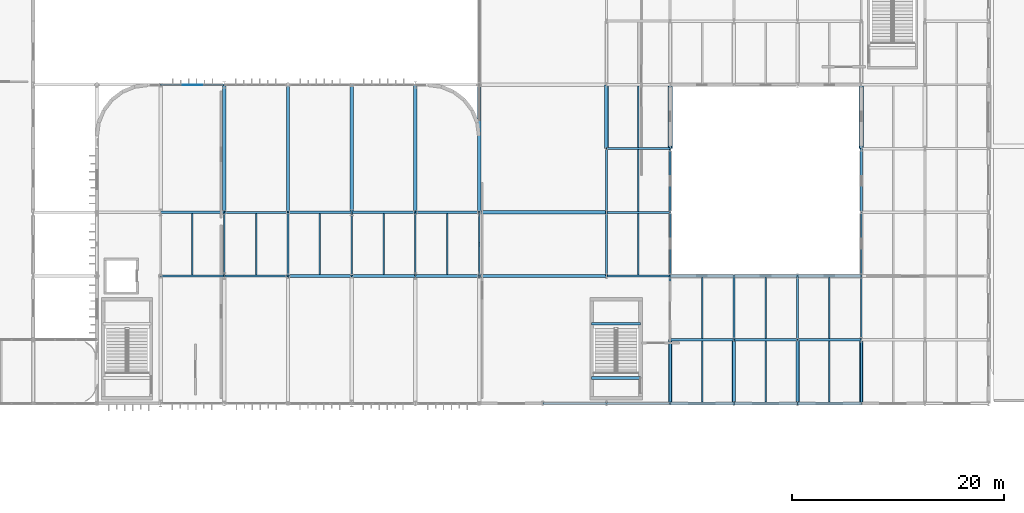
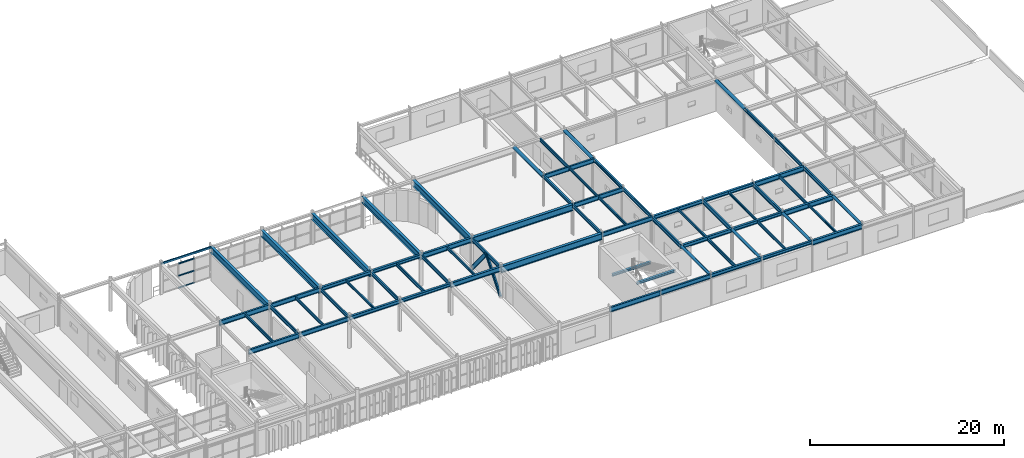
# One storey, part 69 of 116: 70 beams, 5 members, 1 element without a shape of its own.
"""IFC4 building model written with IfcOpenShell, lengths in metres."""

from ifc_helpers import new_model, si_unit, direction, frame, origin, origin_2d, place, context, subcontext, project, spatial, rectangle, hollow_rectangle, hollow_circle, i_section, extrude, material, material_profile, profile_set, type_object, element, aggregate, save


model = new_model("IFC4")

# Units and contexts
model_context = context("Model", 3, precision=1e-05, world=origin(), true_north=direction((0.0, 1.0)))
body_context = subcontext(model_context, "Body", "Model", "MODEL_VIEW")
ifc_project = project(units=[si_unit("LENGTHUNIT", "METRE"), si_unit("AREAUNIT", "SQUARE_METRE"), si_unit("VOLUMEUNIT", "CUBIC_METRE"), si_unit("PLANEANGLEUNIT", "RADIAN"), si_unit("MASSUNIT", "GRAM", prefix="KILO")], contexts=[model_context])

# Site, building, storey
site_placement = place(None, origin())
site = spatial("IfcSite", under=ifc_project, at=site_placement, CompositionType="ELEMENT")
building_placement = place(site_placement, origin())
building = spatial("IfcBuilding", under=site, at=building_placement, Name="Varnakota Square Police Headquarters", CompositionType="ELEMENT")
storey_placement = place(building_placement, frame((0.0, 0.0, 9.300048828125)))
storey = spatial("IfcBuildingStorey", under=building, at=storey_placement, Name="L02", CompositionType="ELEMENT", Elevation=9.300048828125)

# Beams
ifc_material_1 = material(Name="Steel IS 2062 Grade 350", Category="steel")
ifc_material_profile_1 = material_profile(ifc_material_1, hollow_circle(Radius=0.161865234375, WallThickness=0.0126953125, at=origin_2d()), Name="CHS 323.9x12.7")
ifc_profile_set_1 = profile_set([ifc_material_profile_1], Name="Steel IS 2062 Grade 350")
beam_type_1 = type_object("IfcBeamType", Name="BM-ARC-CHS324", PredefinedType="BEAM", material=ifc_profile_set_1)
for number, where, z_axis, x_axis, name in (
    (1, (114.0, 69.0, 3.738037109375), (0.0, 1.0, 0.0), (-1.0, 0.0, 0.0), "BMG-L02-2239"),
    (2, (120.0, 69.0, 3.738037109375), (0.0, 1.0, 0.0), (-1.0, 0.0, 0.0), "BMG-L02-2248"),
    (3, (126.0, 69.0, 3.738037109375), (0.0, 1.0, 0.0), (-1.0, 0.0, 0.0), "BMG-L02-2254"),
    (4, (132.0, 69.0, 3.738037109375), (0.0, 1.0, 0.0), (-1.0, 0.0, 0.0), "BMG-L02-2260"),
):
    element("IfcBeam", number, at=place(storey_placement, frame(where, z_axis=z_axis, x_axis=x_axis)), inside=storey, type_object=beam_type_1, Name=name, PredefinedType="BEAM", context=body_context, shape_type="SweptSolid", body=[
        extrude(hollow_circle(Radius=0.161865234375, WallThickness=0.0126953125, at=origin_2d()), origin(), (0.0, 0.0, 1.0), 6.0),
    ])
ifc_material_profile_2 = material_profile(ifc_material_1, hollow_circle(Radius=0.203125, WallThickness=0.01611328125, at=origin_2d()), Name="CHS 406.4x16.0")
ifc_profile_set_2 = profile_set([ifc_material_profile_2], Name="Steel IS 2062 Grade 350")
beam_type_2 = type_object("IfcBeamType", Name="BM-ARC-CHS406", PredefinedType="BEAM", material=ifc_profile_set_2)
for number, where, z_axis, x_axis, name in (
    (5, (108.0, 93.0, 3.69677734375), (0.0, 1.0, 0.0), (-1.0, 0.0, 0.0), "BMG-L02-2234"),
    (6, (114.0, 93.0, 3.69677734375), (0.0, 1.0, 0.0), (-1.0, 0.0, 0.0), "BMG-L02-2243"),
    (7, (132.0, 93.0, 3.69677734375), (0.0, 1.0, 0.0), (-1.0, 0.0, 0.0), "BMG-L02-2264"),
):
    element("IfcBeam", number, at=place(storey_placement, frame(where, z_axis=z_axis, x_axis=x_axis)), inside=storey, type_object=beam_type_2, Name=name, PredefinedType="BEAM", context=body_context, shape_type="SweptSolid", body=[
        extrude(hollow_circle(Radius=0.203125, WallThickness=0.01611328125, at=origin_2d()), origin(), (0.0, 0.0, 1.0), 6.0),
    ])
ifc_material_profile_3 = material_profile(ifc_material_1, i_section(OverallWidth=0.320068359375, OverallDepth=0.800048828125, WebThickness=0.01611328125, FlangeThickness=0.028076171875, at=origin_2d()), Name="BPG 800x320")
ifc_profile_set_3 = profile_set([ifc_material_profile_3], Name="Steel IS 2062 Grade 350")
beam_type_3 = type_object("IfcBeamType", Name="BM-BPG800", PredefinedType="BEAM", material=ifc_profile_set_3)
for number, where, z_axis, x_axis, name in (
    (8, (96.0, 81.0, 3.5), (1.0, 0.0, 0.0), (0.0, 1.0, 0.0), "BMG-L02-2046"),
    (9, (96.0, 87.0, 3.5), (1.0, 0.0, 0.0), (0.0, 1.0, 0.0), "BMG-L02-2060"),
    (10, (72.0, 87.0, 3.5), (0.0, 1.0, 0.0), (-1.0, 0.0, 0.0), "BMG-L02-2216"),
    (11, (78.0, 87.0, 3.5), (0.0, 1.0, 0.0), (-1.0, 0.0, 0.0), "BMG-L02-2219"),
    (12, (84.0, 87.0, 3.5), (0.0, 1.0, 0.0), (-1.0, 0.0, 0.0), "BMG-L02-2222"),
    (13, (90.0, 87.0, 3.5), (0.0, 1.0, 0.0), (-1.0, 0.0, 0.0), "BMG-L02-2225"),
    (14, (96.0, 87.0, 3.5), (0.0, 1.0, 0.0), (-1.0, 0.0, 0.0), "BMG-L02-2228"),
):
    element("IfcBeam", number, at=place(storey_placement, frame(where, z_axis=z_axis, x_axis=x_axis)), inside=storey, type_object=beam_type_3, Name=name, PredefinedType="BEAM", context=body_context, shape_type="SweptSolid", body=[
        extrude(i_section(OverallWidth=0.320068359375, OverallDepth=0.800048828125, WebThickness=0.01611328125, FlangeThickness=0.028076171875, at=origin_2d()), origin(), (0.0, 0.0, 1.0), 12.0),
    ])
ifc_material_profile_4 = material_profile(ifc_material_1, hollow_rectangle(XDim=0.14990234375, YDim=0.25, WallThickness=0.010009765625, InnerFilletRadius=0.010009765625, OuterFilletRadius=0.02001953125, at=origin_2d()), Name="RHS 250x150x10")
ifc_profile_set_4 = profile_set([ifc_material_profile_4], Name="Steel IS 2062 Grade 350")
beam_type_4 = type_object("IfcBeamType", Name="BM-CBEAM-RHS250", PredefinedType="BEAM", material=ifc_profile_set_4)
beam_1_placement = place(storey_placement, frame((66.0, 99.0, 3.77490234375), z_axis=(1.0, 0.0, 0.0), x_axis=(0.0, 1.0, 0.0)))
element("IfcBeam", 15, at=beam_1_placement, inside=storey, type_object=beam_type_4, Name="BMG-L02-2069", PredefinedType="BEAM", context=body_context, shape_type="SweptSolid", body=[
    extrude(hollow_rectangle(XDim=0.14990234375, YDim=0.25, WallThickness=0.010009765625, InnerFilletRadius=0.010009765625, OuterFilletRadius=0.02001953125, at=origin_2d()), origin(), (0.0, 0.0, 1.0), 6.0),
])
ifc_material_profile_5 = material_profile(ifc_material_1, i_section(OverallWidth=0.25, OverallDepth=0.300048828125, WebThickness=0.009521484375, FlangeThickness=0.010498046875, FilletRadius=0.011962890625, at=origin_2d()), Name="ISHB 300")
ifc_profile_set_5 = profile_set([ifc_material_profile_5], Name="Steel IS 2062 Grade 350")
beam_type_5 = type_object("IfcBeamType", Name="BM-ISHB300", PredefinedType="BEAM", material=ifc_profile_set_5)
for number, where, z_axis, x_axis, name in (
    (16, (106.60009765625, 76.500732421875, 1.787841796875), (1.0, 0.0, 0.0), (0.0, 1.0, 0.0), "Stair landing support beam BM-LND-0100"),
    (17, (106.60009765625, 71.400146484375, 3.849853515625), (1.0, 0.0, 0.0), (0.0, 1.0, 0.0), "Stair landing support beam BM-LND-0101"),
):
    element("IfcBeam", number, at=place(storey_placement, frame(where, z_axis=z_axis, x_axis=x_axis)), inside=storey, type_object=beam_type_5, Name=name, PredefinedType="BEAM", context=body_context, shape_type="SweptSolid", body=[
        extrude(i_section(OverallWidth=0.25, OverallDepth=0.300048828125, WebThickness=0.009521484375, FlangeThickness=0.010498046875, FilletRadius=0.011962890625, at=origin_2d()), origin(), (0.0, 0.0, 1.0), 4.599853515625),
    ])
ifc_material_profile_6 = material_profile(ifc_material_1, i_section(OverallWidth=0.25, OverallDepth=0.39990234375, WebThickness=0.010498046875, FlangeThickness=0.0126953125, FilletRadius=0.013916015625, at=origin_2d()), Name="ISHB 400")
ifc_profile_set_6 = profile_set([ifc_material_profile_6], Name="Steel IS 2062 Grade 350")
beam_type_6 = type_object("IfcBeamType", Name="BM-ISHB400", PredefinedType="BEAM", material=ifc_profile_set_6)
for number, where, z_axis, x_axis, name in (
    (18, (120.0, 69.0, 3.699951171875), (1.0, 0.0, 0.0), (0.0, 1.0, 0.0), "BMG-L02-2024"),
    (19, (120.0, 75.0, 3.699951171875), (1.0, 0.0, 0.0), (0.0, 1.0, 0.0), "BMG-L02-2036"),
    (20, (84.0, 81.0, 3.699951171875), (1.0, 0.0, 0.0), (0.0, 1.0, 0.0), "BMG-L02-2044"),
    (21, (120.0, 81.0, 3.699951171875), (1.0, 0.0, 0.0), (0.0, 1.0, 0.0), "BMG-L02-2049"),
    (22, (84.0, 87.0, 3.699951171875), (1.0, 0.0, 0.0), (0.0, 1.0, 0.0), "BMG-L02-2058"),
):
    element("IfcBeam", number, at=place(storey_placement, frame(where, z_axis=z_axis, x_axis=x_axis)), inside=storey, type_object=beam_type_6, Name=name, PredefinedType="BEAM", context=body_context, shape_type="SweptSolid", body=[
        extrude(i_section(OverallWidth=0.25, OverallDepth=0.39990234375, WebThickness=0.010498046875, FlangeThickness=0.0126953125, FilletRadius=0.013916015625, at=origin_2d()), origin(), (0.0, 0.0, 1.0), 6.0),
    ])
ifc_material_profile_7 = material_profile(ifc_material_1, i_section(OverallWidth=0.25, OverallDepth=0.449951171875, WebThickness=0.01123046875, FlangeThickness=0.013671875, FilletRadius=0.014892578125, at=origin_2d()), Name="ISHB 450")
ifc_profile_set_7 = profile_set([ifc_material_profile_7], Name="Steel IS 2062 Grade 350")
beam_type_7 = type_object("IfcBeamType", Name="BM-ISHB450", PredefinedType="BEAM", material=ifc_profile_set_7)
for number, where, z_axis, x_axis, name in (
    (23, (114.0, 69.0, 3.675048828125), (1.0, 0.0, 0.0), (0.0, 1.0, 0.0), "BMG-L02-2023"),
    (24, (114.0, 75.0, 3.675048828125), (1.0, 0.0, 0.0), (0.0, 1.0, 0.0), "BMG-L02-2035"),
    (25, (78.0, 81.0, 3.675048828125), (1.0, 0.0, 0.0), (0.0, 1.0, 0.0), "BMG-L02-2043"),
    (26, (114.0, 81.0, 3.675048828125), (1.0, 0.0, 0.0), (0.0, 1.0, 0.0), "BMG-L02-2048"),
    (27, (78.0, 87.0, 3.675048828125), (1.0, 0.0, 0.0), (0.0, 1.0, 0.0), "BMG-L02-2057"),
):
    element("IfcBeam", number, at=place(storey_placement, frame(where, z_axis=z_axis, x_axis=x_axis)), inside=storey, type_object=beam_type_7, Name=name, PredefinedType="BEAM", context=body_context, shape_type="SweptSolid", body=[
        extrude(i_section(OverallWidth=0.25, OverallDepth=0.449951171875, WebThickness=0.01123046875, FlangeThickness=0.013671875, FilletRadius=0.014892578125, at=origin_2d()), origin(), (0.0, 0.0, 1.0), 6.0),
    ])
ifc_material_profile_8 = material_profile(ifc_material_1, i_section(OverallWidth=0.139892578125, OverallDepth=0.300048828125, WebThickness=0.0078125, FlangeThickness=0.01318359375, FilletRadius=0.013916015625, at=origin_2d()), Name="ISMB 300")
ifc_profile_set_8 = profile_set([ifc_material_profile_8], Name="Steel IS 2062 Grade 350")
beam_type_8 = type_object("IfcBeamType", Name="BM-ISMB300", PredefinedType="JOIST", material=ifc_profile_set_8)
beam_2_placement = place(storey_placement, frame((81.0, 81.123046875, 3.75), z_axis=(0.0, 1.0, 0.0), x_axis=(-1.0, 0.0, 0.0)))
element("IfcBeam", 28, at=beam_2_placement, inside=storey, type_object=beam_type_8, Name="BMG-L02-2376", PredefinedType="JOIST", context=body_context, shape_type="SweptSolid", body=[
    extrude(i_section(OverallWidth=0.139892578125, OverallDepth=0.300048828125, WebThickness=0.0078125, FlangeThickness=0.01318359375, FilletRadius=0.013916015625, at=origin_2d()), origin(), (0.0, 0.0, 1.0), 5.75390625),
])
beam_3_placement = place(storey_placement, frame((111.0, 87.093017578125, 3.75), z_axis=(0.0, 1.0, 0.0), x_axis=(-1.0, 0.0, 0.0)))
element("IfcBeam", 29, at=beam_3_placement, inside=storey, type_object=beam_type_8, Name="BMG-L02-2381", PredefinedType="JOIST", context=body_context, shape_type="SweptSolid", body=[
    extrude(i_section(OverallWidth=0.139892578125, OverallDepth=0.300048828125, WebThickness=0.0078125, FlangeThickness=0.01318359375, FilletRadius=0.013916015625, at=origin_2d()), origin(), (0.0, 0.0, 1.0), 5.81396484375),
])
for number, where, z_axis, x_axis, name in (
    (30, (123.0, 75.123046875, 3.75), (0.0, 1.0, 0.0), (-1.0, 0.0, 0.0), "BMG-L02-2390"),
    (31, (129.0, 69.123046875, 3.75), (0.0, 1.0, 0.0), (-1.0, 0.0, 0.0), "BMG-L02-2392"),
):
    element("IfcBeam", number, at=place(storey_placement, frame(where, z_axis=z_axis, x_axis=x_axis)), inside=storey, type_object=beam_type_8, Name=name, PredefinedType="JOIST", context=body_context, shape_type="SweptSolid", body=[
        extrude(i_section(OverallWidth=0.139892578125, OverallDepth=0.300048828125, WebThickness=0.0078125, FlangeThickness=0.01318359375, FilletRadius=0.013916015625, at=origin_2d()), origin(), (0.0, 0.0, 1.0), 5.75390625),
    ])
ifc_material_profile_9 = material_profile(ifc_material_1, i_section(OverallWidth=0.139892578125, OverallDepth=0.35009765625, WebThickness=0.008056640625, FlangeThickness=0.01416015625, FilletRadius=0.013916015625, at=origin_2d()), Name="ISMB 350")
ifc_profile_set_9 = profile_set([ifc_material_profile_9], Name="Steel IS 2062 Grade 350")
beam_type_9 = type_object("IfcBeamType", Name="BM-ISMB350", PredefinedType="JOIST", material=ifc_profile_set_9)
beam_4_placement = place(storey_placement, frame((75.0, 81.093017578125, 3.724853515625), z_axis=(0.0, 1.0, 0.0), x_axis=(-1.0, 0.0, 0.0)))
element("IfcBeam", 32, at=beam_4_placement, inside=storey, type_object=beam_type_9, Name="BMG-L02-2375", PredefinedType="JOIST", context=body_context, shape_type="SweptSolid", body=[
    extrude(i_section(OverallWidth=0.139892578125, OverallDepth=0.35009765625, WebThickness=0.008056640625, FlangeThickness=0.01416015625, FilletRadius=0.013916015625, at=origin_2d()), origin(), (0.0, 0.0, 1.0), 5.81396484375),
])
beam_5_placement = place(storey_placement, frame((93.0, 81.123046875, 3.724853515625), z_axis=(0.0, 1.0, 0.0), x_axis=(-1.0, 0.0, 0.0)))
element("IfcBeam", 33, at=beam_5_placement, inside=storey, type_object=beam_type_9, Name="BMG-L02-2378", PredefinedType="JOIST", context=body_context, shape_type="SweptSolid", body=[
    extrude(i_section(OverallWidth=0.139892578125, OverallDepth=0.35009765625, WebThickness=0.008056640625, FlangeThickness=0.01416015625, FilletRadius=0.013916015625, at=origin_2d()), origin(), (0.0, 0.0, 1.0), 5.75390625),
])
beam_6_placement = place(storey_placement, frame((111.0, 81.093017578125, 3.724853515625), z_axis=(0.0, 1.0, 0.0), x_axis=(-1.0, 0.0, 0.0)))
element("IfcBeam", 34, at=beam_6_placement, inside=storey, type_object=beam_type_9, Name="BMG-L02-2380", PredefinedType="JOIST", context=body_context, shape_type="SweptSolid", body=[
    extrude(i_section(OverallWidth=0.139892578125, OverallDepth=0.35009765625, WebThickness=0.008056640625, FlangeThickness=0.01416015625, FilletRadius=0.013916015625, at=origin_2d()), origin(), (0.0, 0.0, 1.0), 5.81396484375),
])
for number, where, z_axis, x_axis, name in (
    (35, (117.0, 75.123046875, 3.724853515625), (0.0, 1.0, 0.0), (-1.0, 0.0, 0.0), "BMG-L02-2386"),
    (36, (123.0, 69.123046875, 3.724853515625), (0.0, 1.0, 0.0), (-1.0, 0.0, 0.0), "BMG-L02-2389"),
):
    element("IfcBeam", number, at=place(storey_placement, frame(where, z_axis=z_axis, x_axis=x_axis)), inside=storey, type_object=beam_type_9, Name=name, PredefinedType="JOIST", context=body_context, shape_type="SweptSolid", body=[
        extrude(i_section(OverallWidth=0.139892578125, OverallDepth=0.35009765625, WebThickness=0.008056640625, FlangeThickness=0.01416015625, FilletRadius=0.013916015625, at=origin_2d()), origin(), (0.0, 0.0, 1.0), 5.75390625),
    ])
ifc_material_profile_10 = material_profile(ifc_material_1, i_section(OverallWidth=0.139892578125, OverallDepth=0.39990234375, WebThickness=0.0087890625, FlangeThickness=0.01611328125, FilletRadius=0.013916015625, at=origin_2d()), Name="ISMB 400")
ifc_profile_set_10 = profile_set([ifc_material_profile_10], Name="Steel IS 2062 Grade 350")
beam_type_10 = type_object("IfcBeamType", Name="BM-ISMB400", PredefinedType="JOIST", material=ifc_profile_set_10)
beam_7_placement = place(storey_placement, frame((69.0, 81.10302734375, 3.699951171875), z_axis=(0.0, 1.0, 0.0), x_axis=(-1.0, 0.0, 0.0)))
element("IfcBeam", 37, at=beam_7_placement, inside=storey, type_object=beam_type_10, Name="BMG-L02-2374", PredefinedType="JOIST", context=body_context, shape_type="SweptSolid", body=[
    extrude(i_section(OverallWidth=0.139892578125, OverallDepth=0.39990234375, WebThickness=0.0087890625, FlangeThickness=0.01611328125, FilletRadius=0.013916015625, at=origin_2d()), origin(), (0.0, 0.0, 1.0), 5.7939453125),
])
beam_8_placement = place(storey_placement, frame((87.0, 81.123046875, 3.699951171875), z_axis=(0.0, 1.0, 0.0), x_axis=(-1.0, 0.0, 0.0)))
element("IfcBeam", 38, at=beam_8_placement, inside=storey, type_object=beam_type_10, Name="BMG-L02-2377", PredefinedType="JOIST", context=body_context, shape_type="SweptSolid", body=[
    extrude(i_section(OverallWidth=0.139892578125, OverallDepth=0.39990234375, WebThickness=0.0087890625, FlangeThickness=0.01611328125, FilletRadius=0.013916015625, at=origin_2d()), origin(), (0.0, 0.0, 1.0), 5.75390625),
])
beam_9_placement = place(storey_placement, frame((111.0, 93.093017578125, 3.699951171875), z_axis=(0.0, 1.0, 0.0), x_axis=(-1.0, 0.0, 0.0)))
element("IfcBeam", 39, at=beam_9_placement, inside=storey, type_object=beam_type_10, Name="BMG-L02-2382", PredefinedType="JOIST", context=body_context, shape_type="SweptSolid", body=[
    extrude(i_section(OverallWidth=0.139892578125, OverallDepth=0.39990234375, WebThickness=0.0087890625, FlangeThickness=0.01611328125, FilletRadius=0.013916015625, at=origin_2d()), origin(), (0.0, 0.0, 1.0), 5.783935546875),
])
for number, where, z_axis, x_axis, name in (
    (40, (117.0, 69.123046875, 3.699951171875), (0.0, 1.0, 0.0), (-1.0, 0.0, 0.0), "BMG-L02-2385"),
    (41, (129.0, 75.123046875, 3.699951171875), (0.0, 1.0, 0.0), (-1.0, 0.0, 0.0), "BMG-L02-2393"),
):
    element("IfcBeam", number, at=place(storey_placement, frame(where, z_axis=z_axis, x_axis=x_axis)), inside=storey, type_object=beam_type_10, Name=name, PredefinedType="JOIST", context=body_context, shape_type="SweptSolid", body=[
        extrude(i_section(OverallWidth=0.139892578125, OverallDepth=0.39990234375, WebThickness=0.0087890625, FlangeThickness=0.01611328125, FilletRadius=0.013916015625, at=origin_2d()), origin(), (0.0, 0.0, 1.0), 5.75390625),
    ])
ifc_material_profile_11 = material_profile(ifc_material_1, i_section(OverallWidth=0.14990234375, OverallDepth=0.449951171875, WebThickness=0.009521484375, FlangeThickness=0.017333984375, FilletRadius=0.014892578125, at=origin_2d()), Name="ISMB 450")
ifc_profile_set_11 = profile_set([ifc_material_profile_11], Name="Steel IS 2062 Grade 350")
beam_type_11 = type_object("IfcBeamType", Name="BM-ISMB450", PredefinedType="BEAM", material=ifc_profile_set_11)
for number, where, z_axis, x_axis, name in (
    (42, (72.0, 81.0, 3.675048828125), (0.0, 1.0, 0.0), (-1.0, 0.0, 0.0), "BMG-L02-2215"),
    (43, (78.0, 81.0, 3.675048828125), (0.0, 1.0, 0.0), (-1.0, 0.0, 0.0), "BMG-L02-2218"),
    (44, (84.0, 81.0, 3.675048828125), (0.0, 1.0, 0.0), (-1.0, 0.0, 0.0), "BMG-L02-2221"),
    (45, (90.0, 81.0, 3.675048828125), (0.0, 1.0, 0.0), (-1.0, 0.0, 0.0), "BMG-L02-2224"),
    (46, (96.0, 81.0, 3.675048828125), (0.0, 1.0, 0.0), (-1.0, 0.0, 0.0), "BMG-L02-2227"),
    (47, (108.0, 81.0, 3.675048828125), (0.0, 1.0, 0.0), (-1.0, 0.0, 0.0), "BMG-L02-2232"),
    (48, (114.0, 81.0, 3.675048828125), (0.0, 1.0, 0.0), (-1.0, 0.0, 0.0), "BMG-L02-2241"),
    (49, (132.0, 81.0, 3.675048828125), (0.0, 1.0, 0.0), (-1.0, 0.0, 0.0), "BMG-L02-2262"),
):
    element("IfcBeam", number, at=place(storey_placement, frame(where, z_axis=z_axis, x_axis=x_axis)), inside=storey, type_object=beam_type_11, Name=name, PredefinedType="BEAM", context=body_context, shape_type="SweptSolid", body=[
        extrude(i_section(OverallWidth=0.14990234375, OverallDepth=0.449951171875, WebThickness=0.009521484375, FlangeThickness=0.017333984375, FilletRadius=0.014892578125, at=origin_2d()), origin(), (0.0, 0.0, 1.0), 6.0),
    ])
ifc_material_profile_12 = material_profile(ifc_material_1, i_section(OverallWidth=0.179931640625, OverallDepth=0.5, WebThickness=0.01025390625, FlangeThickness=0.01708984375, FilletRadius=0.01708984375, at=origin_2d()), Name="ISMB 500")
ifc_profile_set_12 = profile_set([ifc_material_profile_12], Name="Steel IS 2062 Grade 350")
beam_type_12 = type_object("IfcBeamType", Name="BM-ISMB500", PredefinedType="BEAM", material=ifc_profile_set_12)
for number, where, z_axis, x_axis, name in (
    (50, (114.0, 75.0, 3.64990234375), (0.0, 1.0, 0.0), (-1.0, 0.0, 0.0), "BMG-L02-2240"),
    (51, (120.0, 75.0, 3.64990234375), (0.0, 1.0, 0.0), (-1.0, 0.0, 0.0), "BMG-L02-2249"),
    (52, (126.0, 75.0, 3.64990234375), (0.0, 1.0, 0.0), (-1.0, 0.0, 0.0), "BMG-L02-2255"),
    (53, (132.0, 75.0, 3.64990234375), (0.0, 1.0, 0.0), (-1.0, 0.0, 0.0), "BMG-L02-2261"),
):
    element("IfcBeam", number, at=place(storey_placement, frame(where, z_axis=z_axis, x_axis=x_axis)), inside=storey, type_object=beam_type_12, Name=name, PredefinedType="BEAM", context=body_context, shape_type="SweptSolid", body=[
        extrude(i_section(OverallWidth=0.179931640625, OverallDepth=0.5, WebThickness=0.01025390625, FlangeThickness=0.01708984375, FilletRadius=0.01708984375, at=origin_2d()), origin(), (0.0, 0.0, 1.0), 6.0),
    ])
ifc_material_profile_13 = material_profile(ifc_material_1, i_section(OverallWidth=0.18994140625, OverallDepth=0.550048828125, WebThickness=0.01123046875, FlangeThickness=0.019287109375, FilletRadius=0.01806640625, at=origin_2d()), Name="ISMB 550")
ifc_profile_set_13 = profile_set([ifc_material_profile_13], Name="Steel IS 2062 Grade 350")
beam_type_13 = type_object("IfcBeamType", Name="BM-ISMB550", PredefinedType="BEAM", material=ifc_profile_set_13)
for number, where, z_axis, x_axis, name in (
    (54, (108.0, 69.0, 3.625), (1.0, 0.0, 0.0), (0.0, 1.0, 0.0), "BMG-L02-2022"),
    (55, (72.0, 81.0, 3.625), (1.0, 0.0, 0.0), (0.0, 1.0, 0.0), "BMG-L02-2042"),
    (56, (108.0, 81.0, 3.625), (1.0, 0.0, 0.0), (0.0, 1.0, 0.0), "BMG-L02-2047"),
    (57, (72.0, 87.0, 3.625), (1.0, 0.0, 0.0), (0.0, 1.0, 0.0), "BMG-L02-2056"),
    (58, (108.0, 87.0, 3.625), (1.0, 0.0, 0.0), (0.0, 1.0, 0.0), "BMG-L02-2061"),
    (59, (108.0, 93.0, 3.625), (1.0, 0.0, 0.0), (0.0, 1.0, 0.0), "BMG-L02-2064"),
):
    element("IfcBeam", number, at=place(storey_placement, frame(where, z_axis=z_axis, x_axis=x_axis)), inside=storey, type_object=beam_type_13, Name=name, PredefinedType="BEAM", context=body_context, shape_type="SweptSolid", body=[
        extrude(i_section(OverallWidth=0.18994140625, OverallDepth=0.550048828125, WebThickness=0.01123046875, FlangeThickness=0.019287109375, FilletRadius=0.01806640625, at=origin_2d()), origin(), (0.0, 0.0, 1.0), 6.0),
    ])
ifc_material_profile_14 = material_profile(ifc_material_1, i_section(OverallWidth=0.2099609375, OverallDepth=0.60009765625, WebThickness=0.011962890625, FlangeThickness=0.020751953125, FilletRadius=0.02001953125, at=origin_2d()), Name="ISMB 600")
ifc_profile_set_14 = profile_set([ifc_material_profile_14], Name="Steel IS 2062 Grade 350")
beam_type_14 = type_object("IfcBeamType", Name="BM-ISMB600", PredefinedType="BEAM", material=ifc_profile_set_14)
for number, where, z_axis, x_axis, name in (
    (60, (102.0, 69.0, 3.599853515625), (1.0, 0.0, 0.0), (0.0, 1.0, 0.0), "BMG-L02-2021"),
    (61, (66.0, 81.0, 3.599853515625), (1.0, 0.0, 0.0), (0.0, 1.0, 0.0), "BMG-L02-2041"),
    (62, (66.0, 87.0, 3.599853515625), (1.0, 0.0, 0.0), (0.0, 1.0, 0.0), "BMG-L02-2055"),
):
    element("IfcBeam", number, at=place(storey_placement, frame(where, z_axis=z_axis, x_axis=x_axis)), inside=storey, type_object=beam_type_14, Name=name, PredefinedType="BEAM", context=body_context, shape_type="SweptSolid", body=[
        extrude(i_section(OverallWidth=0.2099609375, OverallDepth=0.60009765625, WebThickness=0.011962890625, FlangeThickness=0.020751953125, FilletRadius=0.02001953125, at=origin_2d()), origin(), (0.0, 0.0, 1.0), 6.0),
    ])
ifc_material_profile_15 = material_profile(ifc_material_1, i_section(OverallWidth=0.199951171875, OverallDepth=0.39990234375, WebThickness=0.008544921875, FlangeThickness=0.012939453125, FilletRadius=0.012939453125, at=origin_2d()), Name="ISWB 400")
ifc_profile_set_15 = profile_set([ifc_material_profile_15], Name="Steel IS 2062 Grade 350")
beam_type_15 = type_object("IfcBeamType", Name="BM-ISWB400", PredefinedType="BEAM", material=ifc_profile_set_15)
for number, where, z_axis, x_axis, name in (
    (63, (108.0, 87.0, 3.699951171875), (0.0, 1.0, 0.0), (-1.0, 0.0, 0.0), "BMG-L02-2233"),
    (64, (114.0, 87.0, 3.699951171875), (0.0, 1.0, 0.0), (-1.0, 0.0, 0.0), "BMG-L02-2242"),
    (65, (132.0, 87.0, 3.699951171875), (0.0, 1.0, 0.0), (-1.0, 0.0, 0.0), "BMG-L02-2263"),
):
    element("IfcBeam", number, at=place(storey_placement, frame(where, z_axis=z_axis, x_axis=x_axis)), inside=storey, type_object=beam_type_15, Name=name, PredefinedType="BEAM", context=body_context, shape_type="SweptSolid", body=[
        extrude(i_section(OverallWidth=0.199951171875, OverallDepth=0.39990234375, WebThickness=0.008544921875, FlangeThickness=0.012939453125, FilletRadius=0.012939453125, at=origin_2d()), origin(), (0.0, 0.0, 1.0), 6.0),
    ])
ifc_material_profile_16 = material_profile(ifc_material_1, i_section(OverallWidth=0.25, OverallDepth=0.60009765625, WebThickness=0.01171875, FlangeThickness=0.023681640625, FilletRadius=0.01708984375, at=origin_2d()), Name="ISWB 600")
ifc_profile_set_16 = profile_set([ifc_material_profile_16], Name="Steel IS 2062 Grade 350")
beam_type_16 = type_object("IfcBeamType", Name="BM-ISWB600", PredefinedType="BEAM", material=ifc_profile_set_16)
for number, where, z_axis, x_axis, name in (
    (66, (126.0, 69.0, 3.599853515625), (1.0, 0.0, 0.0), (0.0, 1.0, 0.0), "BMG-L02-2025"),
    (67, (126.0, 75.0, 3.599853515625), (1.0, 0.0, 0.0), (0.0, 1.0, 0.0), "BMG-L02-2037"),
    (68, (90.0, 81.0, 3.599853515625), (1.0, 0.0, 0.0), (0.0, 1.0, 0.0), "BMG-L02-2045"),
    (69, (126.0, 81.0, 3.599853515625), (1.0, 0.0, 0.0), (0.0, 1.0, 0.0), "BMG-L02-2050"),
    (70, (90.0, 87.0, 3.599853515625), (1.0, 0.0, 0.0), (0.0, 1.0, 0.0), "BMG-L02-2059"),
):
    element("IfcBeam", number, at=place(storey_placement, frame(where, z_axis=z_axis, x_axis=x_axis)), inside=storey, type_object=beam_type_16, Name=name, PredefinedType="BEAM", context=body_context, shape_type="SweptSolid", body=[
        extrude(i_section(OverallWidth=0.25, OverallDepth=0.60009765625, WebThickness=0.01171875, FlangeThickness=0.023681640625, FilletRadius=0.01708984375, at=origin_2d()), origin(), (0.0, 0.0, 1.0), 6.0),
    ])

# Curtain wall, members
ifc_material_2 = material(Name="Anodised Aluminium Framing", Category="aluminium")
curtain_wall_type = type_object("IfcCurtainWallType", Name="CW-SYS-C", PredefinedType="NOTDEFINED", material=ifc_material_2)
curtain_wall_placement = place(storey_placement, origin())
curtain_wall = element("IfcCurtainWall", 71, at=curtain_wall_placement, inside=storey, type_object=curtain_wall_type, Name="Unitised curtain wall CWG-L02-241", PredefinedType="NOTDEFINED")
ifc_material_3 = material(Name="Anodised Aluminium 6063-T6", Category="aluminium")
ifc_material_profile_17 = material_profile(ifc_material_3, rectangle(XDim=0.06494140625, YDim=0.1298828125, at=origin_2d()), Name="ALU TRANSOM 65x130")
ifc_profile_set_17 = profile_set([ifc_material_profile_17], Name="Anodised Aluminium 6063-T6")
member_type_1 = type_object("IfcMemberType", Name="CWT-120", PredefinedType="USERDEFINED", material=ifc_profile_set_17)
member_1_placement = place(storey_placement, frame((68.092529296875, 99.0, 0.032470703125), z_axis=(1.0, 0.0, 0.0), x_axis=(0.0, 1.0, 0.0)))
member_1 = element("IfcMember", 72, at=member_1_placement, type_object=member_type_1, Name="CWG-L02-241 transom 2.1", ObjectType="TRANSOM", PredefinedType="USERDEFINED", context=body_context, shape_type="SweptSolid", body=[
    extrude(rectangle(XDim=0.06494140625, YDim=0.1298828125, at=origin_2d()), origin(), (0.0, 0.0, 1.0), 1.840087890625),
])
member_2_placement = place(storey_placement, frame((68.092529296875, 99.0, 1.544921875), z_axis=(1.0, 0.0, 0.0), x_axis=(0.0, 1.0, 0.0)))
member_2 = element("IfcMember", 73, at=member_2_placement, type_object=member_type_1, Name="CWG-L02-241 transom 2.2", ObjectType="TRANSOM", PredefinedType="USERDEFINED", context=body_context, shape_type="SweptSolid", body=[
    extrude(rectangle(XDim=0.06494140625, YDim=0.1298828125, at=origin_2d()), origin(), (0.0, 0.0, 1.0), 1.840087890625),
])
member_3_placement = place(storey_placement, frame((68.092529296875, 99.0, 3.057373046875), z_axis=(1.0, 0.0, 0.0), x_axis=(0.0, 1.0, 0.0)))
member_3 = element("IfcMember", 74, at=member_3_placement, type_object=member_type_1, Name="CWG-L02-241 transom 2.3", ObjectType="TRANSOM", PredefinedType="USERDEFINED", context=body_context, shape_type="SweptSolid", body=[
    extrude(rectangle(XDim=0.06494140625, YDim=0.1298828125, at=origin_2d()), origin(), (0.0, 0.0, 1.0), 1.840087890625),
])
aggregate(curtain_wall, [member_1, member_2, member_3])

# Members
ifc_material_profile_18 = material_profile(ifc_material_1, i_section(OverallWidth=0.14990234375, OverallDepth=0.449951171875, WebThickness=0.009521484375, FlangeThickness=0.017333984375, FilletRadius=0.014892578125, at=origin_2d()), Name="ISMB 450")
ifc_profile_set_18 = profile_set([ifc_material_profile_18], Name="Steel IS 2062 Grade 350")
member_type_2 = type_object("IfcMemberType", Name="MEM-BR-ISMB450", PredefinedType="BRACE", material=ifc_profile_set_18)
for number, where, z_axis, x_axis, name in (
    (75, (96.0, 81.050048828125, 0.02001953125), (0.0, 0.630679081609, 0.776043746203), (-1.0, 0.0, 0.0), "Lateral brace BF6 L02 left"),
    (76, (96.0, 86.949951171875, 0.02001953125), (0.0, -0.630679081609, 0.776043746203), (1.0, 0.0, 0.0), "Lateral brace BF6 L02 right"),
):
    element("IfcMember", number, at=place(storey_placement, frame(where, z_axis=z_axis, x_axis=x_axis)), inside=storey, type_object=member_type_2, Name=name, PredefinedType="BRACE", context=body_context, shape_type="SweptSolid", body=[
        extrude(i_section(OverallWidth=0.14990234375, OverallDepth=0.449951171875, WebThickness=0.009521484375, FlangeThickness=0.017333984375, FilletRadius=0.014892578125, at=origin_2d()), origin(), (0.0, 0.0, 1.0), 4.677490234375),
    ])

save(model, "model.ifc")
